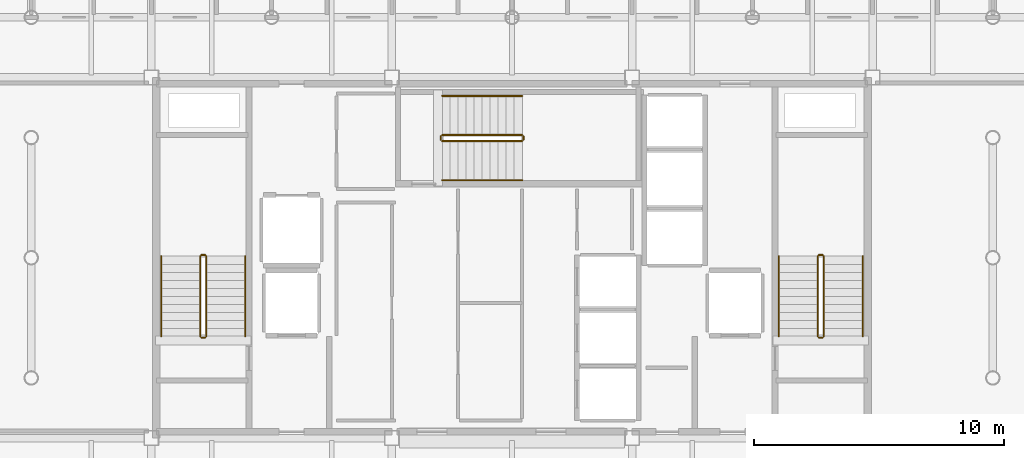
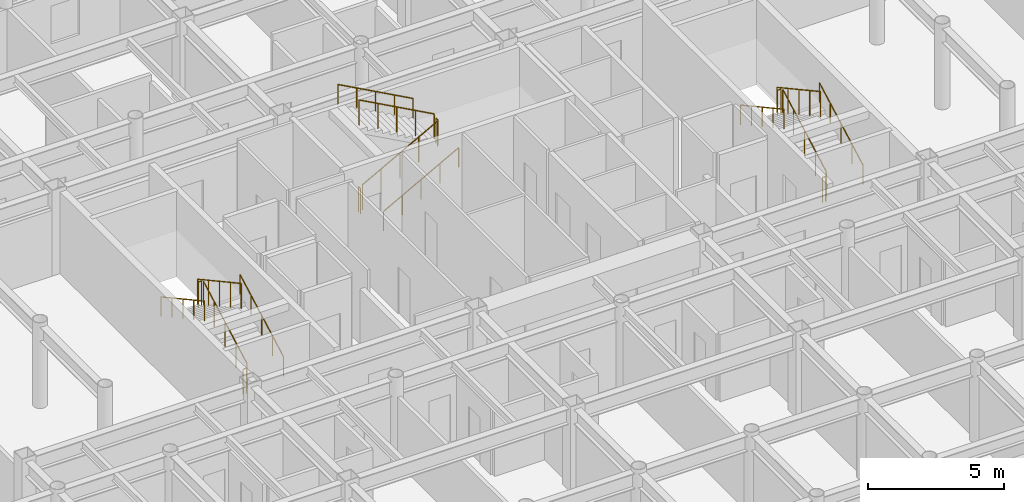
# One storey, part 22 of 22: 18 railings.
"""IFC4 building model written with IfcOpenShell, lengths in metres."""

from ifc_helpers import new_model, si_unit, direction, frame, origin, origin_2d, place, context, subcontext, project, spatial, circle, extrude, material, layer, layer_set, type_object, element, save


model = new_model("IFC4")

# Units and contexts
model_context = context("Model", 3, precision=1e-05, world=origin(), true_north=direction((0.0, 1.0)))
body_context = subcontext(model_context, "Body", "Model", "MODEL_VIEW")
ifc_project = project(units=[si_unit("LENGTHUNIT", "METRE"), si_unit("AREAUNIT", "SQUARE_METRE"), si_unit("VOLUMEUNIT", "CUBIC_METRE"), si_unit("PLANEANGLEUNIT", "RADIAN"), si_unit("MASSUNIT", "GRAM", prefix="KILO")], contexts=[model_context])

# Site, building, storey
site_placement = place(None, origin())
site = spatial("IfcSite", under=ifc_project, at=site_placement, CompositionType="ELEMENT")
building_placement = place(site_placement, origin())
building = spatial("IfcBuilding", under=site, at=building_placement, Name="Kallvorn Hotel Tower", CompositionType="ELEMENT")
storey_placement = place(building_placement, frame((0.0, 0.0, 199.199951171875)))
storey = spatial("IfcBuildingStorey", under=building, at=storey_placement, Name="L49", CompositionType="ELEMENT", Elevation=199.199951171875)

# Railings
ifc_material_1 = material(Name="Brushed stainless-steel tubular railing", Category="steel")
ifc_layer_1 = layer(ifc_material_1, 0.050048828125)
ifc_layer_set_1 = layer_set([ifc_layer_1], Name="RL_STAIR_GUARD")
railing_type_1 = type_object("IfcRailingType", Name="RL_STAIR_GUARD", PredefinedType="GUARDRAIL", material=ifc_layer_set_1)
railing_1_placement = place(storey_placement, frame((-12.2099609375, -3.139892578125, 0.175048828125)))
element("IfcRailing", 1, at=railing_1_placement, inside=storey, type_object=railing_type_1, Name="L49 ST1 stair guard 1", PredefinedType="GUARDRAIL", context=body_context, shape_type="SweptSolid", body=[
    extrude(circle(Radius=0.02392578125, at=origin_2d()), frame((0.0, 0.0, 1.1259765625), z_axis=(0.0, 0.877368057402, 0.479817977833), x_axis=(-1.0, 0.0, 0.0)), (0.0, 0.0, 1.0), 3.647216796875),
    extrude(circle(Radius=0.02099609375, at=origin_2d()), origin(), (0.0, 0.0, 1.0), 1.101806640625),
    extrude(circle(Radius=0.02099609375, at=origin_2d()), frame((0.0, 0.800048828125, 0.4375)), (0.0, 0.0, 1.0), 1.101806640625),
    extrude(circle(Radius=0.02099609375, at=origin_2d()), frame((0.0, 1.60009765625, 0.875)), (0.0, 0.0, 1.0), 1.101806640625),
    extrude(circle(Radius=0.02099609375, at=origin_2d()), frame((0.0, 2.39990234375, 1.3125)), (0.0, 0.0, 1.0), 1.101806640625),
    extrude(circle(Radius=0.02099609375, at=origin_2d()), frame((0.0, 3.199951171875, 1.75)), (0.0, 0.0, 1.0), 1.101806640625),
])
railing_2_placement = place(storey_placement, frame((-12.260009765625, 0.110107421875, 1.925048828125)))
element("IfcRailing", 2, at=railing_2_placement, inside=storey, type_object=railing_type_1, Name="L49 ST1 stair guard 2", PredefinedType="GUARDRAIL", context=body_context, shape_type="SweptSolid", body=[
    extrude(circle(Radius=0.02392578125, at=origin_2d()), frame((0.0, 0.0, 1.1259765625), z_axis=(-1.0, 0.0, 0.0), x_axis=(0.0, -1.0, 0.0)), (0.0, 0.0, 1.0), 0.139892578125),
    extrude(circle(Radius=0.02099609375, at=origin_2d()), origin(), (0.0, 0.0, 1.0), 1.101806640625),
    extrude(circle(Radius=0.02099609375, at=origin_2d()), frame((-0.139892578125, 0.0, 0.0)), (0.0, 0.0, 1.0), 1.101806640625),
])
railing_3_placement = place(storey_placement, frame((-12.449951171875, 0.06005859375, 2.10009765625)))
element("IfcRailing", 3, at=railing_3_placement, inside=storey, type_object=railing_type_1, Name="L49 ST1 stair guard 3", PredefinedType="GUARDRAIL", context=body_context, shape_type="SweptSolid", body=[
    extrude(circle(Radius=0.02392578125, at=origin_2d()), frame((0.0, 0.0, 1.1259765625), z_axis=(0.0, -0.877368057402, 0.479817977833), x_axis=(1.0, 0.0, 0.0)), (0.0, 0.0, 1.0), 3.647216796875),
    extrude(circle(Radius=0.02099609375, at=origin_2d()), origin(), (0.0, 0.0, 1.0), 1.101806640625),
    extrude(circle(Radius=0.02099609375, at=origin_2d()), frame((0.0, -0.800048828125, 0.4375)), (0.0, 0.0, 1.0), 1.101806640625),
    extrude(circle(Radius=0.02099609375, at=origin_2d()), frame((0.0, -1.60009765625, 0.875)), (0.0, 0.0, 1.0), 1.101806640625),
    extrude(circle(Radius=0.02099609375, at=origin_2d()), frame((0.0, -2.39990234375, 1.3125)), (0.0, 0.0, 1.0), 1.101806640625),
    extrude(circle(Radius=0.02099609375, at=origin_2d()), frame((0.0, -3.199951171875, 1.75)), (0.0, 0.0, 1.0), 1.101806640625),
])
railing_4_placement = place(storey_placement, frame((-12.260009765625, -3.18994140625, 0.0)))
element("IfcRailing", 4, at=railing_4_placement, inside=storey, type_object=railing_type_1, Name="L49 ST1 stair guard 4", PredefinedType="GUARDRAIL", context=body_context, shape_type="SweptSolid", body=[
    extrude(circle(Radius=0.02392578125, at=origin_2d()), frame((0.0, 0.0, 1.1259765625), z_axis=(-1.0, 0.0, 0.0), x_axis=(0.0, -1.0, 0.0)), (0.0, 0.0, 1.0), 0.139892578125),
    extrude(circle(Radius=0.02099609375, at=origin_2d()), origin(), (0.0, 0.0, 1.0), 1.101806640625),
    extrude(circle(Radius=0.02099609375, at=origin_2d()), frame((-0.139892578125, 0.0, 0.0)), (0.0, 0.0, 1.0), 1.101806640625),
])
railing_5_placement = place(storey_placement, frame((12.449951171875, -3.139892578125, 0.175048828125)))
element("IfcRailing", 5, at=railing_5_placement, inside=storey, type_object=railing_type_1, Name="L49 ST2 stair guard 1", PredefinedType="GUARDRAIL", context=body_context, shape_type="SweptSolid", body=[
    extrude(circle(Radius=0.02392578125, at=origin_2d()), frame((0.0, 0.0, 1.1259765625), z_axis=(0.0, 0.877368057402, 0.479817977833), x_axis=(-1.0, 0.0, 0.0)), (0.0, 0.0, 1.0), 3.647216796875),
    extrude(circle(Radius=0.02099609375, at=origin_2d()), origin(), (0.0, 0.0, 1.0), 1.101806640625),
    extrude(circle(Radius=0.02099609375, at=origin_2d()), frame((0.0, 0.800048828125, 0.4375)), (0.0, 0.0, 1.0), 1.101806640625),
    extrude(circle(Radius=0.02099609375, at=origin_2d()), frame((0.0, 1.60009765625, 0.875)), (0.0, 0.0, 1.0), 1.101806640625),
    extrude(circle(Radius=0.02099609375, at=origin_2d()), frame((0.0, 2.39990234375, 1.3125)), (0.0, 0.0, 1.0), 1.101806640625),
    extrude(circle(Radius=0.02099609375, at=origin_2d()), frame((0.0, 3.199951171875, 1.75)), (0.0, 0.0, 1.0), 1.101806640625),
])
railing_6_placement = place(storey_placement, frame((12.39990234375, 0.110107421875, 1.925048828125)))
element("IfcRailing", 6, at=railing_6_placement, inside=storey, type_object=railing_type_1, Name="L49 ST2 stair guard 2", PredefinedType="GUARDRAIL", context=body_context, shape_type="SweptSolid", body=[
    extrude(circle(Radius=0.02392578125, at=origin_2d()), frame((0.0, 0.0, 1.1259765625), z_axis=(-1.0, 0.0, 0.0), x_axis=(0.0, -1.0, 0.0)), (0.0, 0.0, 1.0), 0.139892578125),
    extrude(circle(Radius=0.02099609375, at=origin_2d()), origin(), (0.0, 0.0, 1.0), 1.101806640625),
    extrude(circle(Radius=0.02099609375, at=origin_2d()), frame((-0.139892578125, 0.0, 0.0)), (0.0, 0.0, 1.0), 1.101806640625),
])
railing_7_placement = place(storey_placement, frame((12.2099609375, 0.06005859375, 2.10009765625)))
element("IfcRailing", 7, at=railing_7_placement, inside=storey, type_object=railing_type_1, Name="L49 ST2 stair guard 3", PredefinedType="GUARDRAIL", context=body_context, shape_type="SweptSolid", body=[
    extrude(circle(Radius=0.02392578125, at=origin_2d()), frame((0.0, 0.0, 1.1259765625), z_axis=(0.0, -0.877368057402, 0.479817977833), x_axis=(1.0, 0.0, 0.0)), (0.0, 0.0, 1.0), 3.647216796875),
    extrude(circle(Radius=0.02099609375, at=origin_2d()), origin(), (0.0, 0.0, 1.0), 1.101806640625),
    extrude(circle(Radius=0.02099609375, at=origin_2d()), frame((0.0, -0.800048828125, 0.4375)), (0.0, 0.0, 1.0), 1.101806640625),
    extrude(circle(Radius=0.02099609375, at=origin_2d()), frame((0.0, -1.60009765625, 0.875)), (0.0, 0.0, 1.0), 1.101806640625),
    extrude(circle(Radius=0.02099609375, at=origin_2d()), frame((0.0, -2.39990234375, 1.3125)), (0.0, 0.0, 1.0), 1.101806640625),
    extrude(circle(Radius=0.02099609375, at=origin_2d()), frame((0.0, -3.199951171875, 1.75)), (0.0, 0.0, 1.0), 1.101806640625),
])
railing_8_placement = place(storey_placement, frame((12.39990234375, -3.18994140625, 0.0)))
element("IfcRailing", 8, at=railing_8_placement, inside=storey, type_object=railing_type_1, Name="L49 ST2 stair guard 4", PredefinedType="GUARDRAIL", context=body_context, shape_type="SweptSolid", body=[
    extrude(circle(Radius=0.02392578125, at=origin_2d()), frame((0.0, 0.0, 1.1259765625), z_axis=(-1.0, 0.0, 0.0), x_axis=(0.0, -1.0, 0.0)), (0.0, 0.0, 1.0), 0.139892578125),
    extrude(circle(Radius=0.02099609375, at=origin_2d()), origin(), (0.0, 0.0, 1.0), 1.101806640625),
    extrude(circle(Radius=0.02099609375, at=origin_2d()), frame((-0.139892578125, 0.0, 0.0)), (0.0, 0.0, 1.0), 1.101806640625),
])
railing_9_placement = place(storey_placement, frame((-2.7900390625, 4.659912109375, 0.175048828125)))
element("IfcRailing", 9, at=railing_9_placement, inside=storey, type_object=railing_type_1, Name="L49 ST3 stair guard 1", PredefinedType="GUARDRAIL", context=body_context, shape_type="SweptSolid", body=[
    extrude(circle(Radius=0.02392578125, at=origin_2d()), frame((0.0, 0.0, 1.1259765625), z_axis=(0.877368057402, 0.0, 0.479817977833), x_axis=(0.0, 1.0, 0.0)), (0.0, 0.0, 1.0), 3.647216796875),
    extrude(circle(Radius=0.02099609375, at=origin_2d()), origin(), (0.0, 0.0, 1.0), 1.101806640625),
    extrude(circle(Radius=0.02099609375, at=origin_2d()), frame((0.800048828125, 0.0, 0.4375)), (0.0, 0.0, 1.0), 1.101806640625),
    extrude(circle(Radius=0.02099609375, at=origin_2d()), frame((1.60009765625, 0.0, 0.875)), (0.0, 0.0, 1.0), 1.101806640625),
    extrude(circle(Radius=0.02099609375, at=origin_2d()), frame((2.39990234375, 0.0, 1.3125)), (0.0, 0.0, 1.0), 1.101806640625),
    extrude(circle(Radius=0.02099609375, at=origin_2d()), frame((3.199951171875, 0.0, 1.75)), (0.0, 0.0, 1.0), 1.101806640625),
])
railing_10_placement = place(storey_placement, frame((0.4599609375, 4.7099609375, 1.925048828125)))
element("IfcRailing", 10, at=railing_10_placement, inside=storey, type_object=railing_type_1, Name="L49 ST3 stair guard 2", PredefinedType="GUARDRAIL", context=body_context, shape_type="SweptSolid", body=[
    extrude(circle(Radius=0.02392578125, at=origin_2d()), frame((0.0, 0.0, 1.1259765625), z_axis=(0.0, 1.0, 0.0), x_axis=(-1.0, 0.0, 0.0)), (0.0, 0.0, 1.0), 0.14013671875),
    extrude(circle(Radius=0.02099609375, at=origin_2d()), origin(), (0.0, 0.0, 1.0), 1.101806640625),
    extrude(circle(Radius=0.02099609375, at=origin_2d()), frame((0.0, 0.14013671875, 0.0)), (0.0, 0.0, 1.0), 1.101806640625),
])
railing_11_placement = place(storey_placement, frame((0.409912109375, 4.89990234375, 2.10009765625)))
element("IfcRailing", 11, at=railing_11_placement, inside=storey, type_object=railing_type_1, Name="L49 ST3 stair guard 3", PredefinedType="GUARDRAIL", context=body_context, shape_type="SweptSolid", body=[
    extrude(circle(Radius=0.02392578125, at=origin_2d()), frame((0.0, 0.0, 1.1259765625), z_axis=(-0.877368057402, 0.0, 0.479817977833), x_axis=(0.0, -1.0, 0.0)), (0.0, 0.0, 1.0), 3.647216796875),
    extrude(circle(Radius=0.02099609375, at=origin_2d()), origin(), (0.0, 0.0, 1.0), 1.101806640625),
    extrude(circle(Radius=0.02099609375, at=origin_2d()), frame((-0.800048828125, 0.0, 0.4375)), (0.0, 0.0, 1.0), 1.101806640625),
    extrude(circle(Radius=0.02099609375, at=origin_2d()), frame((-1.60009765625, 0.0, 0.875)), (0.0, 0.0, 1.0), 1.101806640625),
    extrude(circle(Radius=0.02099609375, at=origin_2d()), frame((-2.39990234375, 0.0, 1.3125)), (0.0, 0.0, 1.0), 1.101806640625),
    extrude(circle(Radius=0.02099609375, at=origin_2d()), frame((-3.199951171875, 0.0, 1.75)), (0.0, 0.0, 1.0), 1.101806640625),
])
railing_12_placement = place(storey_placement, frame((-2.840087890625, 4.7099609375, 0.0)))
element("IfcRailing", 12, at=railing_12_placement, inside=storey, type_object=railing_type_1, Name="L49 ST3 stair guard 4", PredefinedType="GUARDRAIL", context=body_context, shape_type="SweptSolid", body=[
    extrude(circle(Radius=0.02392578125, at=origin_2d()), frame((0.0, 0.0, 1.1259765625), z_axis=(0.0, 1.0, 0.0), x_axis=(-1.0, 0.0, 0.0)), (0.0, 0.0, 1.0), 0.14013671875),
    extrude(circle(Radius=0.02099609375, at=origin_2d()), origin(), (0.0, 0.0, 1.0), 1.101806640625),
    extrude(circle(Radius=0.02099609375, at=origin_2d()), frame((0.0, 0.14013671875, 0.0)), (0.0, 0.0, 1.0), 1.101806640625),
])
ifc_material_2 = material(Name="Brushed stainless-steel tubular railing", Category="steel")
ifc_layer_2 = layer(ifc_material_2, 0.050048828125)
ifc_layer_set_2 = layer_set([ifc_layer_2], Name="RL_STAIR_HAND")
railing_type_2 = type_object("IfcRailingType", Name="RL_STAIR_HAND", PredefinedType="HANDRAIL", material=ifc_layer_set_2)
railing_13_placement = place(storey_placement, frame((-10.64990234375, -3.139892578125, 0.175048828125)))
element("IfcRailing", 13, at=railing_13_placement, inside=storey, type_object=railing_type_2, Name="L49 ST1 stair handrail 1", PredefinedType="HANDRAIL", context=body_context, shape_type="SweptSolid", body=[
    extrude(circle(Radius=0.02392578125, at=origin_2d()), frame((0.0, 0.0, 0.8759765625), z_axis=(0.0, 0.877368057402, 0.479817977833), x_axis=(-1.0, 0.0, 0.0)), (0.0, 0.0, 1.0), 3.647216796875),
    extrude(circle(Radius=0.02099609375, at=origin_2d()), origin(), (0.0, 0.0, 1.0), 0.851806640625),
    extrude(circle(Radius=0.02099609375, at=origin_2d()), frame((0.0, 0.800048828125, 0.4375)), (0.0, 0.0, 1.0), 0.851806640625),
    extrude(circle(Radius=0.02099609375, at=origin_2d()), frame((0.0, 1.60009765625, 0.875)), (0.0, 0.0, 1.0), 0.851806640625),
    extrude(circle(Radius=0.02099609375, at=origin_2d()), frame((0.0, 2.39990234375, 1.3125)), (0.0, 0.0, 1.0), 0.851806640625),
    extrude(circle(Radius=0.02099609375, at=origin_2d()), frame((0.0, 3.199951171875, 1.75)), (0.0, 0.0, 1.0), 0.851806640625),
])
railing_14_placement = place(storey_placement, frame((-14.010009765625, 0.06005859375, 2.10009765625)))
element("IfcRailing", 14, at=railing_14_placement, inside=storey, type_object=railing_type_2, Name="L49 ST1 stair handrail 2", PredefinedType="HANDRAIL", context=body_context, shape_type="SweptSolid", body=[
    extrude(circle(Radius=0.02392578125, at=origin_2d()), frame((0.0, 0.0, 0.8759765625), z_axis=(0.0, -0.877368057402, 0.479817977833), x_axis=(1.0, 0.0, 0.0)), (0.0, 0.0, 1.0), 3.647216796875),
    extrude(circle(Radius=0.02099609375, at=origin_2d()), origin(), (0.0, 0.0, 1.0), 0.851806640625),
    extrude(circle(Radius=0.02099609375, at=origin_2d()), frame((0.0, -0.800048828125, 0.4375)), (0.0, 0.0, 1.0), 0.851806640625),
    extrude(circle(Radius=0.02099609375, at=origin_2d()), frame((0.0, -1.60009765625, 0.875)), (0.0, 0.0, 1.0), 0.851806640625),
    extrude(circle(Radius=0.02099609375, at=origin_2d()), frame((0.0, -2.39990234375, 1.3125)), (0.0, 0.0, 1.0), 0.851806640625),
    extrude(circle(Radius=0.02099609375, at=origin_2d()), frame((0.0, -3.199951171875, 1.75)), (0.0, 0.0, 1.0), 0.851806640625),
])
railing_15_placement = place(storey_placement, frame((14.010009765625, -3.139892578125, 0.175048828125)))
element("IfcRailing", 15, at=railing_15_placement, inside=storey, type_object=railing_type_2, Name="L49 ST2 stair handrail 1", PredefinedType="HANDRAIL", context=body_context, shape_type="SweptSolid", body=[
    extrude(circle(Radius=0.02392578125, at=origin_2d()), frame((0.0, 0.0, 0.8759765625), z_axis=(0.0, 0.877368057402, 0.479817977833), x_axis=(-1.0, 0.0, 0.0)), (0.0, 0.0, 1.0), 3.647216796875),
    extrude(circle(Radius=0.02099609375, at=origin_2d()), origin(), (0.0, 0.0, 1.0), 0.851806640625),
    extrude(circle(Radius=0.02099609375, at=origin_2d()), frame((0.0, 0.800048828125, 0.4375)), (0.0, 0.0, 1.0), 0.851806640625),
    extrude(circle(Radius=0.02099609375, at=origin_2d()), frame((0.0, 1.60009765625, 0.875)), (0.0, 0.0, 1.0), 0.851806640625),
    extrude(circle(Radius=0.02099609375, at=origin_2d()), frame((0.0, 2.39990234375, 1.3125)), (0.0, 0.0, 1.0), 0.851806640625),
    extrude(circle(Radius=0.02099609375, at=origin_2d()), frame((0.0, 3.199951171875, 1.75)), (0.0, 0.0, 1.0), 0.851806640625),
])
railing_16_placement = place(storey_placement, frame((10.64990234375, 0.06005859375, 2.10009765625)))
element("IfcRailing", 16, at=railing_16_placement, inside=storey, type_object=railing_type_2, Name="L49 ST2 stair handrail 2", PredefinedType="HANDRAIL", context=body_context, shape_type="SweptSolid", body=[
    extrude(circle(Radius=0.02392578125, at=origin_2d()), frame((0.0, 0.0, 0.8759765625), z_axis=(0.0, -0.877368057402, 0.479817977833), x_axis=(1.0, 0.0, 0.0)), (0.0, 0.0, 1.0), 3.647216796875),
    extrude(circle(Radius=0.02099609375, at=origin_2d()), origin(), (0.0, 0.0, 1.0), 0.851806640625),
    extrude(circle(Radius=0.02099609375, at=origin_2d()), frame((0.0, -0.800048828125, 0.4375)), (0.0, 0.0, 1.0), 0.851806640625),
    extrude(circle(Radius=0.02099609375, at=origin_2d()), frame((0.0, -1.60009765625, 0.875)), (0.0, 0.0, 1.0), 0.851806640625),
    extrude(circle(Radius=0.02099609375, at=origin_2d()), frame((0.0, -2.39990234375, 1.3125)), (0.0, 0.0, 1.0), 0.851806640625),
    extrude(circle(Radius=0.02099609375, at=origin_2d()), frame((0.0, -3.199951171875, 1.75)), (0.0, 0.0, 1.0), 0.851806640625),
])
railing_17_placement = place(storey_placement, frame((-2.7900390625, 3.10009765625, 0.175048828125)))
element("IfcRailing", 17, at=railing_17_placement, inside=storey, type_object=railing_type_2, Name="L49 ST3 stair handrail 1", PredefinedType="HANDRAIL", context=body_context, shape_type="SweptSolid", body=[
    extrude(circle(Radius=0.02392578125, at=origin_2d()), frame((0.0, 0.0, 0.8759765625), z_axis=(0.877368057402, 0.0, 0.479817977833), x_axis=(0.0, 1.0, 0.0)), (0.0, 0.0, 1.0), 3.647216796875),
    extrude(circle(Radius=0.02099609375, at=origin_2d()), origin(), (0.0, 0.0, 1.0), 0.851806640625),
    extrude(circle(Radius=0.02099609375, at=origin_2d()), frame((0.800048828125, 0.0, 0.4375)), (0.0, 0.0, 1.0), 0.851806640625),
    extrude(circle(Radius=0.02099609375, at=origin_2d()), frame((1.60009765625, 0.0, 0.875)), (0.0, 0.0, 1.0), 0.851806640625),
    extrude(circle(Radius=0.02099609375, at=origin_2d()), frame((2.39990234375, 0.0, 1.3125)), (0.0, 0.0, 1.0), 0.851806640625),
    extrude(circle(Radius=0.02099609375, at=origin_2d()), frame((3.199951171875, 0.0, 1.75)), (0.0, 0.0, 1.0), 0.851806640625),
])
railing_18_placement = place(storey_placement, frame((0.409912109375, 6.4599609375, 2.10009765625)))
element("IfcRailing", 18, at=railing_18_placement, inside=storey, type_object=railing_type_2, Name="L49 ST3 stair handrail 2", PredefinedType="HANDRAIL", context=body_context, shape_type="SweptSolid", body=[
    extrude(circle(Radius=0.02392578125, at=origin_2d()), frame((0.0, 0.0, 0.8759765625), z_axis=(-0.877368057402, 0.0, 0.479817977833), x_axis=(0.0, -1.0, 0.0)), (0.0, 0.0, 1.0), 3.647216796875),
    extrude(circle(Radius=0.02099609375, at=origin_2d()), origin(), (0.0, 0.0, 1.0), 0.851806640625),
    extrude(circle(Radius=0.02099609375, at=origin_2d()), frame((-0.800048828125, 0.0, 0.4375)), (0.0, 0.0, 1.0), 0.851806640625),
    extrude(circle(Radius=0.02099609375, at=origin_2d()), frame((-1.60009765625, 0.0, 0.875)), (0.0, 0.0, 1.0), 0.851806640625),
    extrude(circle(Radius=0.02099609375, at=origin_2d()), frame((-2.39990234375, 0.0, 1.3125)), (0.0, 0.0, 1.0), 0.851806640625),
    extrude(circle(Radius=0.02099609375, at=origin_2d()), frame((-3.199951171875, 0.0, 1.75)), (0.0, 0.0, 1.0), 0.851806640625),
])

save(model, "model.ifc")
